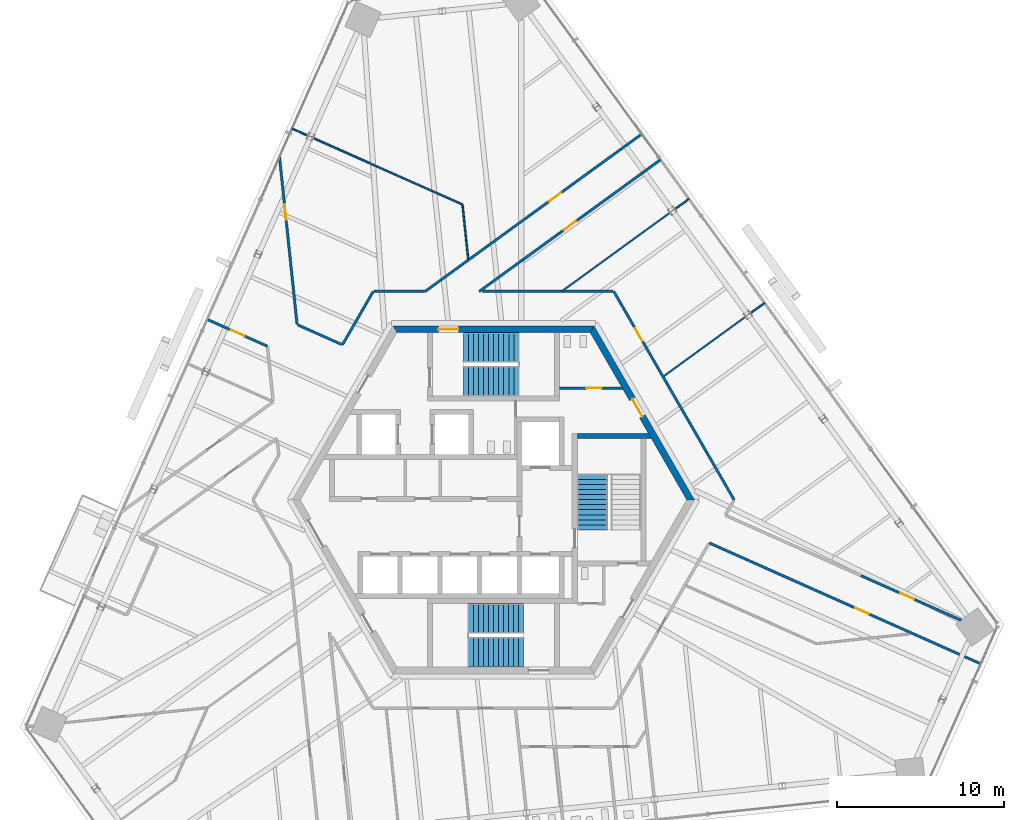
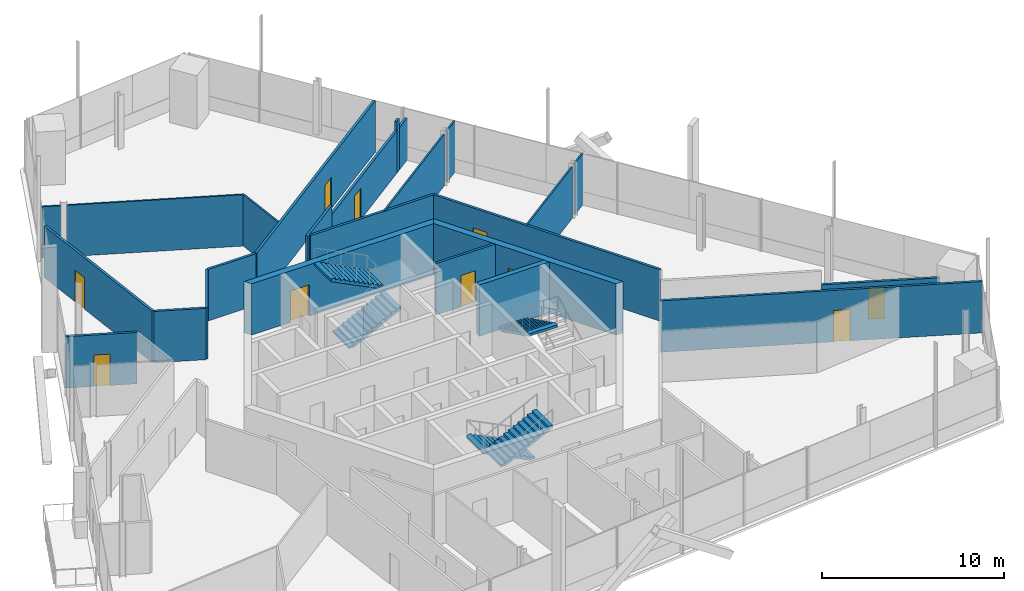
# One storey, part 13 of 20: 25 walls, 10 doors, 5 stair flights, 10 openings, 3 elements without a shape of their own.
"""IFC4 building model written with IfcOpenShell, lengths in metres."""

from ifc_helpers import new_model, si_unit, direction, frame, frame_2d, origin, place, context, subcontext, project, spatial, polyline, rectangle, outline, extrude, source, transform, mapped, material, layer, layer_set, type_object, element, fill, aggregate, save


model = new_model("IFC4")

# Units and contexts
model_context = context("Model", 3, precision=1e-05, world=origin(), true_north=direction((0.0, 1.0)))
body_context = subcontext(model_context, "Body", "Model", "MODEL_VIEW")
ifc_project = project(units=[si_unit("LENGTHUNIT", "METRE"), si_unit("AREAUNIT", "SQUARE_METRE"), si_unit("VOLUMEUNIT", "CUBIC_METRE"), si_unit("PLANEANGLEUNIT", "RADIAN"), si_unit("MASSUNIT", "GRAM", prefix="KILO")], contexts=[model_context])

# Site, building, storey
site_placement = place(None, origin())
site = spatial("IfcSite", under=ifc_project, at=site_placement, CompositionType="ELEMENT")
building_placement = place(site_placement, origin())
building = spatial("IfcBuilding", under=site, at=building_placement, Name="Triune Harvest Tower", CompositionType="ELEMENT")
storey_placement = place(building_placement, frame((0.0, 0.0, 234.10009765625)))
storey = spatial("IfcBuildingStorey", under=building, at=storey_placement, Name="L61", CompositionType="ELEMENT", Elevation=234.10009765625)

# Wall, opening, door
ifc_material_1 = material(Name="Gypsum board on steel studs", Category="steel")
ifc_layer_1 = layer(ifc_material_1, 0.14990234375)
ifc_layer_set_1 = layer_set([ifc_layer_1], Name="Gypsum board on steel studs")
wall_type_1 = type_object("IfcWallType", Name="Fire Partition 150 mm", PredefinedType="PARTITIONING", material=ifc_layer_set_1)
wall_1_placement = place(storey_placement, frame((21.935302734375, -4.523193359375, 0.0), z_axis=(0.0, 0.0, 1.0), x_axis=(0.913539195618, -0.406750707522, 0.0)))
wall_1 = element("IfcWall", 1, at=wall_1_placement, inside=storey, type_object=wall_type_1, Name="Partition L61 028a", PredefinedType="PARTITIONING", context=body_context, shape_type="SweptSolid", body=[
    extrude(rectangle(XDim=6.5478515625, YDim=0.14990234375, at=frame_2d((3.27392578125, 0.0))), origin(), (0.0, 0.0, 1.0), 2.525390625),
])
opening_1_placement = place(wall_1_placement, frame((2.582763671875, 0.0, 0.0)))
opening_1 = element("IfcOpeningElement", 2, at=opening_1_placement, cuts=wall_1, Name="Opening L61-002", PredefinedType="OPENING", context=body_context, shape_type="SweptSolid", body=[
    extrude(rectangle(XDim=0.89990234375, YDim=2.10009765625, at=frame_2d((0.449951171875, 1.050048828125))), frame((0.0, 0.0849609375, 0.0), z_axis=(0.0, -1.0, 0.0), x_axis=(1.0, 0.0, 0.0)), (0.0, 0.0, 1.0), 0.169921875),
])
ifc_material_2 = material(Name="Timber and steel door set", Category="steel")
door_type_1 = type_object("IfcDoorType", Name="Single leaf door FD30 right hand 900 x 2100", OperationType="SINGLE_SWING_RIGHT", PredefinedType="DOOR", material=ifc_material_2)
door_1_placement = place(opening_1_placement, origin())
door_1 = element("IfcDoor", 3, at=door_1_placement, inside=storey, type_object=door_type_1, Name="Door L61-002 Open Office 61.02", OperationType="SINGLE_SWING_RIGHT", OverallHeight=2.10009765625, OverallWidth=0.89990234375, PredefinedType="DOOR", context=body_context, shape_type="SweptSolid", body=[
    extrude(rectangle(XDim=0.89990234375, YDim=2.10009765625, at=frame_2d((0.449951171875, 1.050048828125))), frame((0.0, 0.02490234375, 0.0), z_axis=(0.0, -1.0, 0.0), x_axis=(1.0, 0.0, 0.0)), (0.0, 0.0, 1.0), 0.050048828125),
])
fill(opening_1, door_1)

# Wall
wall_2_placement = place(storey_placement, frame((-0.656005859375, 12.4423828125, 0.0), z_axis=(0.0, 0.0, 1.0), x_axis=(1.0, 0.0, 0.0)))
element("IfcWall", 4, at=wall_2_placement, inside=storey, type_object=wall_type_1, Name="Partition L61 034", PredefinedType="PARTITIONING", context=body_context, shape_type="SweptSolid", body=[
    extrude(rectangle(XDim=7.78955078125, YDim=0.14990234375, at=frame_2d((3.894775390625, 0.0))), origin(), (0.0, 0.0, 1.0), 3.43994140625),
])

# Wall, opening, door
wall_3_placement = place(storey_placement, frame((1.75341796875, 14.338134765625, 0.0), z_axis=(0.0, 0.0, 1.0), x_axis=(0.809011065255, 0.587793412939, 0.0)))
wall_3 = element("IfcWall", 5, at=wall_3_placement, inside=storey, type_object=wall_type_1, Name="Partition L61 045a", PredefinedType="PARTITIONING", context=body_context, shape_type="SweptSolid", body=[
    extrude(rectangle(XDim=8.789306640625, YDim=0.14990234375, at=frame_2d((4.39453125, 0.0))), origin(), (0.0, 0.0, 1.0), 2.82763671875),
])
opening_2_placement = place(wall_3_placement, frame((3.024658203125, 0.0, 0.0)))
opening_2 = element("IfcOpeningElement", 6, at=opening_2_placement, cuts=wall_3, Name="Opening L61-005", PredefinedType="OPENING", context=body_context, shape_type="SweptSolid", body=[
    extrude(rectangle(XDim=0.89990234375, YDim=2.10009765625, at=frame_2d((0.449951171875, 1.050048828125))), frame((0.0, 0.0849609375, 0.0), z_axis=(0.0, -1.0, 0.0), x_axis=(1.0, 0.0, 0.0)), (0.0, 0.0, 1.0), 0.169921875),
])
ifc_material_3 = material(Name="Timber and steel door set", Category="steel")
door_type_2 = type_object("IfcDoorType", Name="Single leaf door FD30 left hand 900 x 2100", OperationType="SINGLE_SWING_LEFT", PredefinedType="DOOR", material=ifc_material_3)
door_2_placement = place(opening_2_placement, origin())
door_2 = element("IfcDoor", 7, at=door_2_placement, inside=storey, type_object=door_type_2, Name="Door L61-005 Office 61.05", OperationType="SINGLE_SWING_LEFT", OverallHeight=2.10009765625, OverallWidth=0.89990234375, PredefinedType="DOOR", context=body_context, shape_type="SweptSolid", body=[
    extrude(rectangle(XDim=0.89990234375, YDim=2.10009765625, at=frame_2d((0.449951171875, 1.050048828125))), frame((0.0, 0.02490234375, 0.0), z_axis=(0.0, -1.0, 0.0), x_axis=(1.0, 0.0, 0.0)), (0.0, 0.0, 1.0), 0.050048828125),
])
fill(opening_2, door_2)

# Walls
wall_4_placement = place(storey_placement, frame((8.864013671875, 19.50439453125, 0.0), z_axis=(0.0, 0.0, 1.0), x_axis=(0.808943843857, 0.58788592217, 0.0)))
element("IfcWall", 8, at=wall_4_placement, inside=storey, type_object=wall_type_1, Name="Partition L61 045b", PredefinedType="PARTITIONING", context=body_context, shape_type="SweptSolid", body=[
    extrude(rectangle(XDim=0.304931640625, YDim=0.14990234375, at=frame_2d((0.15234375, 0.0))), origin(), (0.0, 0.0, 1.0), 3.43994140625),
])
wall_5_placement = place(storey_placement, frame((9.110595703125, 19.68359375, 0.0), z_axis=(0.0, 0.0, 1.0), x_axis=(0.80908353288, 0.587693658995, 0.0)))
element("IfcWall", 9, at=wall_5_placement, inside=storey, type_object=wall_type_1, Name="Partition L61 045c", PredefinedType="PARTITIONING", context=body_context, shape_type="SweptSolid", body=[
    extrude(rectangle(XDim=1.06298828125, YDim=0.14990234375, at=frame_2d((0.531494140625, 0.0))), origin(), (0.0, 0.0, 1.0), 2.82763671875),
])

# Wall, opening, door
ifc_material_4 = material(Name="Concrete 70 MPa", Category="concrete")
ifc_layer_2 = layer(ifc_material_4, 0.39990234375)
ifc_layer_set_2 = layer_set([ifc_layer_2], Name="Concrete 70 MPa")
wall_type_2 = type_object("IfcWallType", Name="Core wall 400", PredefinedType="SHEAR", material=ifc_layer_set_2)
shared_shape_1 = source(origin(), body_context, "Body", "SweptSolid", [
    extrude(outline(polyline([(-0.115478515625, -0.199951171875), (11.884521484375, -0.199951171875), (11.653564453125, 0.199951171875), (0.115478515625, 0.199951171875), (-0.115478515625, -0.199951171875)])), origin(), (0.0, 0.0, 1.0), 3.43994140625),
])
wall_6_placement = place(storey_placement, frame((11.76904296875, 0.0, 0.0), z_axis=(0.0, 0.0, 1.0), x_axis=(-0.499996592174, 0.866027371285, 0.0)))
wall_6 = element("IfcWall", 10, at=wall_6_placement, inside=storey, type_object=wall_type_2, Name="Hexagon 0 wall", PredefinedType="SHEAR", context=body_context, shape_type="MappedRepresentation", body=[
    mapped(shared_shape_1, transform((0.0, 0.0, 0.0), scale=1.0)),
])
opening_3_placement = place(wall_6_placement, frame((5.75048828125, 0.0, 0.0)))
opening_3 = element("IfcOpeningElement", 11, at=opening_3_placement, cuts=wall_6, Name="Opening CD-WCP", PredefinedType="OPENING", context=body_context, shape_type="SweptSolid", body=[
    extrude(rectangle(XDim=1.199951171875, YDim=2.10009765625, at=frame_2d((0.60009765625, 1.050048828125))), frame((0.0, 0.2099609375, 0.0), z_axis=(0.0, -1.0, 0.0), x_axis=(1.0, 0.0, 0.0)), (0.0, 0.0, 1.0), 0.419921875),
])
ifc_material_5 = material(Name="Steel S235", Category="steel")
door_type_3 = type_object("IfcDoorType", Name="Lobby door 1200 FD120", OperationType="SINGLE_SWING_LEFT", PredefinedType="DOOR", material=ifc_material_5)
door_3_placement = place(opening_3_placement, frame((1.199951171875, 0.0, 0.0), z_axis=(0.0, 0.0, 1.0), x_axis=(-1.0, 0.0, 0.0)))
door_3 = element("IfcDoor", 12, at=door_3_placement, inside=storey, type_object=door_type_3, Name="Door CD-WCP", OperationType="SINGLE_SWING_RIGHT", OverallHeight=2.10009765625, OverallWidth=1.199951171875, PredefinedType="DOOR", context=body_context, shape_type="SweptSolid", body=[
    extrude(rectangle(XDim=1.199951171875, YDim=2.10009765625, at=frame_2d((0.60009765625, 1.050048828125))), frame((0.0, 0.02490234375, 0.0), z_axis=(0.0, -1.0, 0.0), x_axis=(1.0, 0.0, 0.0)), (0.0, 0.0, 1.0), 0.050048828125),
])
fill(opening_3, door_3)

wall_7_placement = place(storey_placement, frame((5.884521484375, 10.1923828125, 0.0), z_axis=(0.0, 0.0, 1.0), x_axis=(-1.0, 0.0, 0.0)))
wall_7 = element("IfcWall", 13, at=wall_7_placement, inside=storey, type_object=wall_type_2, Name="Hexagon 1 wall", PredefinedType="SHEAR", context=body_context, shape_type="MappedRepresentation", body=[
    mapped(shared_shape_1, transform((0.0, 0.0, 0.0), scale=1.0)),
])
opening_4_placement = place(wall_7_placement, frame((7.984619140625, 0.0, 0.0)))
opening_4 = element("IfcOpeningElement", 14, at=opening_4_placement, cuts=wall_7, Name="Opening CD-S1P", PredefinedType="OPENING", context=body_context, shape_type="SweptSolid", body=[
    extrude(rectangle(XDim=1.199951171875, YDim=2.10009765625, at=frame_2d((0.60009765625, 1.050048828125))), frame((0.0, 0.2099609375, 0.0), z_axis=(0.0, -1.0, 0.0), x_axis=(1.0, 0.0, 0.0)), (0.0, 0.0, 1.0), 0.419921875),
])
ifc_material_6 = material(Name="Steel S235", Category="steel")
door_type_4 = type_object("IfcDoorType", Name="Stair door 1200 FD120", OperationType="SINGLE_SWING_LEFT", PredefinedType="DOOR", material=ifc_material_6)
door_4_placement = place(opening_4_placement, frame((1.199951171875, 0.0, 0.0), z_axis=(0.0, 0.0, 1.0), x_axis=(-1.0, 0.0, 0.0)))
door_4 = element("IfcDoor", 15, at=door_4_placement, inside=storey, type_object=door_type_4, Name="Door CD-S1P", OperationType="SINGLE_SWING_RIGHT", OverallHeight=2.10009765625, OverallWidth=1.199951171875, PredefinedType="DOOR", context=body_context, shape_type="SweptSolid", body=[
    extrude(rectangle(XDim=1.199951171875, YDim=2.10009765625, at=frame_2d((0.60009765625, 1.050048828125))), frame((0.0, 0.02490234375, 0.0), z_axis=(0.0, -1.0, 0.0), x_axis=(1.0, 0.0, 0.0)), (0.0, 0.0, 1.0), 0.050048828125),
])
fill(opening_4, door_4)

# Wall
ifc_material_7 = material(Name="Concrete 70 MPa", Category="concrete")
ifc_layer_3 = layer(ifc_material_7, 0.300048828125)
ifc_layer_set_3 = layer_set([ifc_layer_3], Name="Concrete 70 MPa")
wall_type_3 = type_object("IfcWallType", Name="Core wall 300", PredefinedType="SHEAR", material=ifc_layer_set_3)
shared_shape_2 = source(origin(), body_context, "Body", "SweptSolid", [
    extrude(outline(polyline([(0.0, -0.14990234375), (0.0, 0.14990234375), (4.260009765625, 0.14990234375), (4.43310546875, -0.14990234375), (0.0, -0.14990234375)])), origin(), (0.0, 0.0, 1.0), 3.43994140625),
])
wall_8_placement = place(storey_placement, frame((5.0, 3.800048828125, 0.0), z_axis=(0.0, 0.0, 1.0), x_axis=(1.0, 0.0, 0.0)))
element("IfcWall", 16, at=wall_8_placement, inside=storey, type_object=wall_type_3, Name="Stair e north wall", PredefinedType="SHEAR", context=body_context, shape_type="MappedRepresentation", body=[
    mapped(shared_shape_2, transform((0.0, 0.0, 0.0), scale=1.0)),
])

# Wall, opening, door
ifc_material_8 = material(Name="Concrete masonry unit", Category="masonry")
ifc_layer_4 = layer(ifc_material_8, 0.14990234375)
ifc_layer_set_4 = layer_set([ifc_layer_4], Name="Concrete masonry unit")
wall_type_4 = type_object("IfcWallType", Name="Block partition 150 unrated", PredefinedType="PARTITIONING", material=ifc_layer_set_4)
shared_shape_3 = source(origin(), body_context, "Body", "SweptSolid", [
    extrude(outline(polyline([(0.0, -0.074951171875), (0.0, 0.074951171875), (3.693359375, 0.074951171875), (3.77978515625, -0.074951171875), (0.0, -0.074951171875)])), origin(), (0.0, 0.0, 1.0), 3.43994140625),
])
wall_9_placement = place(storey_placement, frame((3.949951171875, 6.675048828125, 0.0), z_axis=(0.0, 0.0, 1.0), x_axis=(1.0, 0.0, 0.0)))
wall_9 = element("IfcWall", 17, at=wall_9_placement, inside=storey, type_object=wall_type_4, Name="Wc women south wall", PredefinedType="PARTITIONING", context=body_context, shape_type="MappedRepresentation", body=[
    mapped(shared_shape_3, transform((0.0, 0.0, 0.0), scale=1.0)),
])
opening_5_placement = place(wall_9_placement, frame((1.60009765625, 0.0, 0.0)))
opening_5 = element("IfcOpeningElement", 18, at=opening_5_placement, cuts=wall_9, Name="Opening CD-WW", PredefinedType="OPENING", context=body_context, shape_type="SweptSolid", body=[
    extrude(rectangle(XDim=0.89990234375, YDim=2.10009765625, at=frame_2d((0.449951171875, 1.050048828125))), frame((0.0, 0.0849609375, 0.0), z_axis=(0.0, -1.0, 0.0), x_axis=(1.0, 0.0, 0.0)), (0.0, 0.0, 1.0), 0.169921875),
])
ifc_material_9 = material(Name="Timber C24", Category="wood")
door_type_5 = type_object("IfcDoorType", Name="WC door 900", OperationType="SINGLE_SWING_LEFT", PredefinedType="DOOR", material=ifc_material_9)
door_5_placement = place(opening_5_placement, origin())
door_5 = element("IfcDoor", 19, at=door_5_placement, inside=storey, type_object=door_type_5, Name="Door CD-WW", OperationType="SINGLE_SWING_LEFT", OverallHeight=2.10009765625, OverallWidth=0.89990234375, PredefinedType="DOOR", context=body_context, shape_type="SweptSolid", body=[
    extrude(rectangle(XDim=0.89990234375, YDim=2.10009765625, at=frame_2d((0.449951171875, 1.050048828125))), frame((0.0, 0.02490234375, 0.0), z_axis=(0.0, -1.0, 0.0), x_axis=(1.0, 0.0, 0.0)), (0.0, 0.0, 1.0), 0.050048828125),
])
fill(opening_5, door_5)

shared_shape_4 = source(origin(), body_context, "Body", "SweptSolid", [
    extrude(rectangle(XDim=14.3671875, YDim=0.14990234375, at=frame_2d((7.18359375, 0.0))), origin(), (0.0, 0.0, 1.0), 3.43994140625),
])
wall_10_placement = place(storey_placement, frame((7.18359375, 12.4423828125, 0.0), z_axis=(0.0, 0.0, 1.0), x_axis=(0.499998991654, -0.866025985952, 0.0)))
wall_10 = element("IfcWall", 20, at=wall_10_placement, inside=storey, type_object=wall_type_1, Name="Partition L61 018", PredefinedType="PARTITIONING", context=body_context, shape_type="MappedRepresentation", body=[
    mapped(shared_shape_4, transform((0.0, 0.0, 0.0), scale=1.0)),
])
opening_6_placement = place(wall_10_placement, frame((2.52587890625, 0.0, 0.0)))
opening_6 = element("IfcOpeningElement", 21, at=opening_6_placement, cuts=wall_10, Name="Opening L61-003", PredefinedType="OPENING", context=body_context, shape_type="SweptSolid", body=[
    extrude(rectangle(XDim=0.89990234375, YDim=2.10009765625, at=frame_2d((0.449951171875, 1.050048828125))), frame((0.0, 0.0849609375, 0.0), z_axis=(0.0, -1.0, 0.0), x_axis=(1.0, 0.0, 0.0)), (0.0, 0.0, 1.0), 0.169921875),
])
door_6_placement = place(opening_6_placement, origin())
door_6 = element("IfcDoor", 22, at=door_6_placement, inside=storey, type_object=door_type_2, Name="Door L61-003 Project Room 61.03", OperationType="SINGLE_SWING_LEFT", OverallHeight=2.10009765625, OverallWidth=0.89990234375, PredefinedType="DOOR", context=body_context, shape_type="SweptSolid", body=[
    extrude(rectangle(XDim=0.89990234375, YDim=2.10009765625, at=frame_2d((0.449951171875, 1.050048828125))), frame((0.0, 0.02490234375, 0.0), z_axis=(0.0, -1.0, 0.0), x_axis=(1.0, 0.0, 0.0)), (0.0, 0.0, 1.0), 0.050048828125),
])
fill(opening_6, door_6)

# Walls
ifc_material_10 = material(Name="Gypsum board on steel studs", Category="steel")
ifc_layer_5 = layer(ifc_material_10, 0.10009765625)
ifc_layer_set_5 = layer_set([ifc_layer_5], Name="Gypsum board on steel studs")
wall_type_5 = type_object("IfcWallType", Name="Partition 100 mm", PredefinedType="PARTITIONING", material=ifc_layer_set_5)
shared_shape_5 = source(origin(), body_context, "Body", "SweptSolid", [
    extrude(rectangle(XDim=1.0478515625, YDim=0.10009765625, at=frame_2d((0.52392578125, 0.0))), origin(), (0.0, 0.0, 1.0), 3.43994140625),
])
for number, where, z_axis, x_axis, name in (
    (23, (-12.027099609375, 22.167236328125, 0.0), (0.0, 0.0, 1.0), (0.91352309314, -0.406786870855, 0.0), "Partition L61 029"),
    (24, (15.33544921875, 11.141845703125, 0.0), (0.0, 0.0, 1.0), (0.808967759712, 0.587853012025, 0.0), "Partition L61 041"),
    (25, (10.821533203125, 17.354736328125, 0.0), (0.0, 0.0, 1.0), (0.808967759712, 0.587853012025, 0.0), "Partition L61 043"),
):
    element("IfcWall", number, at=place(storey_placement, frame(where, z_axis=z_axis, x_axis=x_axis)), inside=storey, type_object=wall_type_5, Name=name, PredefinedType="PARTITIONING", context=body_context, shape_type="MappedRepresentation", body=[
        mapped(shared_shape_5, transform((0.0, 0.0, 0.0), scale=1.0)),
    ])

# Wall, opening, door
shared_shape_6 = source(origin(), body_context, "Body", "SweptSolid", [
    extrude(rectangle(XDim=10.067626953125, YDim=0.14990234375, at=frame_2d((5.03369140625, 0.0))), origin(), (0.0, 0.0, 1.0), 3.43994140625),
])
wall_11_placement = place(storey_placement, frame((-12.779541015625, 20.476806640625, 0.0), z_axis=(0.0, 0.0, 1.0), x_axis=(0.104518154608, -0.994522978798, 0.0)))
wall_11 = element("IfcWall", 26, at=wall_11_placement, inside=storey, type_object=wall_type_1, Name="Partition L61 004", PredefinedType="PARTITIONING", context=body_context, shape_type="MappedRepresentation", body=[
    mapped(shared_shape_6, transform((0.0, 0.0, 0.0), scale=1.0)),
])
opening_7_placement = place(wall_11_placement, frame((2.877685546875, 0.0, 0.0)))
opening_7 = element("IfcOpeningElement", 27, at=opening_7_placement, cuts=wall_11, Name="Opening L61-006", PredefinedType="OPENING", context=body_context, shape_type="SweptSolid", body=[
    extrude(rectangle(XDim=0.89990234375, YDim=2.10009765625, at=frame_2d((0.449951171875, 1.050048828125))), frame((0.0, 0.0849609375, 0.0), z_axis=(0.0, -1.0, 0.0), x_axis=(1.0, 0.0, 0.0)), (0.0, 0.0, 1.0), 0.169921875),
])
door_7_placement = place(opening_7_placement, origin())
door_7 = element("IfcDoor", 28, at=door_7_placement, inside=storey, type_object=door_type_2, Name="Door L61-006 Pantry 61.06", OperationType="SINGLE_SWING_LEFT", OverallHeight=2.10009765625, OverallWidth=0.89990234375, PredefinedType="DOOR", context=body_context, shape_type="SweptSolid", body=[
    extrude(rectangle(XDim=0.89990234375, YDim=2.10009765625, at=frame_2d((0.449951171875, 1.050048828125))), frame((0.0, 0.02490234375, 0.0), z_axis=(0.0, -1.0, 0.0), x_axis=(1.0, 0.0, 0.0)), (0.0, 0.0, 1.0), 0.050048828125),
])
fill(opening_7, door_7)

# Wall
shared_shape_7 = source(origin(), body_context, "Body", "SweptSolid", [
    extrude(rectangle(XDim=3.226806640625, YDim=0.10009765625, at=frame_2d((1.61328125, 0.0))), origin(), (0.0, 0.0, 1.0), 3.43994140625),
])
wall_12_placement = place(storey_placement, frame((-1.8515625, 17.617919921875, 0.0), z_axis=(0.0, 0.0, 1.0), x_axis=(0.104483925502, -0.994526575468, 0.0)))
element("IfcWall", 29, at=wall_12_placement, inside=storey, type_object=wall_type_5, Name="Partition L61 009", PredefinedType="PARTITIONING", context=body_context, shape_type="MappedRepresentation", body=[
    mapped(shared_shape_7, transform((0.0, 0.0, 0.0), scale=1.0)),
])

# Wall, opening, door
shared_shape_8 = source(origin(), body_context, "Body", "SweptSolid", [
    extrude(rectangle(XDim=3.93701171875, YDim=0.14990234375, at=frame_2d((1.968505859375, 0.0))), origin(), (0.0, 0.0, 1.0), 3.43994140625),
])
wall_13_placement = place(storey_placement, frame((-17.098876953125, 10.77587890625, 0.0), z_axis=(0.0, 0.0, 1.0), x_axis=(0.913571009461, -0.406679247899, 0.0)))
wall_13 = element("IfcWall", 30, at=wall_13_placement, inside=storey, type_object=wall_type_1, Name="Partition L61 025", PredefinedType="PARTITIONING", context=body_context, shape_type="MappedRepresentation", body=[
    mapped(shared_shape_8, transform((0.0, 0.0, 0.0), scale=1.0)),
])
opening_8_placement = place(wall_13_placement, frame((1.550048828125, 0.0, 0.0)))
opening_8 = element("IfcOpeningElement", 31, at=opening_8_placement, cuts=wall_13, Name="Opening L61-007", PredefinedType="OPENING", context=body_context, shape_type="SweptSolid", body=[
    extrude(rectangle(XDim=0.89990234375, YDim=2.10009765625, at=frame_2d((0.449951171875, 1.050048828125))), frame((0.0, 0.0849609375, 0.0), z_axis=(0.0, -1.0, 0.0), x_axis=(1.0, 0.0, 0.0)), (0.0, 0.0, 1.0), 0.169921875),
])
door_8_placement = place(opening_8_placement, origin())
door_8 = element("IfcDoor", 32, at=door_8_placement, inside=storey, type_object=door_type_2, Name="Door L61-007 Meeting Room 61.07", OperationType="SINGLE_SWING_LEFT", OverallHeight=2.10009765625, OverallWidth=0.89990234375, PredefinedType="DOOR", context=body_context, shape_type="SweptSolid", body=[
    extrude(rectangle(XDim=0.89990234375, YDim=2.10009765625, at=frame_2d((0.449951171875, 1.050048828125))), frame((0.0, 0.02490234375, 0.0), z_axis=(0.0, -1.0, 0.0), x_axis=(1.0, 0.0, 0.0)), (0.0, 0.0, 1.0), 0.050048828125),
])
fill(opening_8, door_8)

shared_shape_9 = source(origin(), body_context, "Body", "SweptSolid", [
    extrude(rectangle(XDim=17.74658203125, YDim=0.14990234375, at=frame_2d((8.873291015625, 0.0))), origin(), (0.0, 0.0, 1.0), 3.43994140625),
])
wall_14_placement = place(storey_placement, frame((12.882080078125, -2.572509765625, 0.0), z_axis=(0.0, 0.0, 1.0), x_axis=(0.913549833627, -0.406726814312, 0.0)))
wall_14 = element("IfcWall", 33, at=wall_14_placement, inside=storey, type_object=wall_type_1, Name="Partition L61 026", PredefinedType="PARTITIONING", context=body_context, shape_type="MappedRepresentation", body=[
    mapped(shared_shape_9, transform((0.0, 0.0, 0.0), scale=1.0)),
])
opening_9_placement = place(wall_14_placement, frame((9.538818359375, 0.0, 0.0)))
opening_9 = element("IfcOpeningElement", 34, at=opening_9_placement, cuts=wall_14, Name="Opening L61-001", PredefinedType="OPENING", context=body_context, shape_type="SweptSolid", body=[
    extrude(rectangle(XDim=0.89990234375, YDim=2.10009765625, at=frame_2d((0.449951171875, 1.050048828125))), frame((0.0, 0.0849609375, 0.0), z_axis=(0.0, -1.0, 0.0), x_axis=(1.0, 0.0, 0.0)), (0.0, 0.0, 1.0), 0.169921875),
])
door_9_placement = place(opening_9_placement, origin())
door_9 = element("IfcDoor", 35, at=door_9_placement, inside=storey, type_object=door_type_2, Name="Door L61-001 Dry Store Room 61.01", OperationType="SINGLE_SWING_LEFT", OverallHeight=2.10009765625, OverallWidth=0.89990234375, PredefinedType="DOOR", context=body_context, shape_type="SweptSolid", body=[
    extrude(rectangle(XDim=0.89990234375, YDim=2.10009765625, at=frame_2d((0.449951171875, 1.050048828125))), frame((0.0, 0.02490234375, 0.0), z_axis=(0.0, -1.0, 0.0), x_axis=(1.0, 0.0, 0.0)), (0.0, 0.0, 1.0), 0.050048828125),
])
fill(opening_9, door_9)

# Walls
shared_shape_10 = source(origin(), body_context, "Body", "SweptSolid", [
    extrude(rectangle(XDim=2.8623046875, YDim=0.14990234375, at=frame_2d((1.43115234375, 0.0))), origin(), (0.0, 0.0, 1.0), 3.43994140625),
])
wall_15_placement = place(storey_placement, frame((-11.681640625, 10.444091796875, 0.0), z_axis=(0.0, 0.0, 1.0), x_axis=(0.913526415595, -0.406779409521, 0.0)))
element("IfcWall", 36, at=wall_15_placement, inside=storey, type_object=wall_type_1, Name="Partition L61 027", PredefinedType="PARTITIONING", context=body_context, shape_type="MappedRepresentation", body=[
    mapped(shared_shape_10, transform((0.0, 0.0, 0.0), scale=1.0)),
])
shared_shape_11 = source(origin(), body_context, "Body", "SweptSolid", [
    extrude(rectangle(XDim=9.752685546875, YDim=0.10009765625, at=frame_2d((4.87646484375, 0.0))), origin(), (0.0, 0.0, 1.0), 3.43994140625),
])
wall_16_placement = place(storey_placement, frame((-10.76318359375, 21.6044921875, 0.0), z_axis=(0.0, 0.0, 1.0), x_axis=(0.913542950004, -0.406742275277, 0.0)))
element("IfcWall", 37, at=wall_16_placement, inside=storey, type_object=wall_type_5, Name="Partition L61 030", PredefinedType="PARTITIONING", context=body_context, shape_type="MappedRepresentation", body=[
    mapped(shared_shape_11, transform((0.0, 0.0, 0.0), scale=1.0)),
])
shared_shape_12 = source(origin(), body_context, "Body", "SweptSolid", [
    extrude(rectangle(XDim=3.025146484375, YDim=0.14990234375, at=frame_2d((1.5126953125, 0.0))), origin(), (0.0, 0.0, 1.0), 3.43994140625),
])
wall_17_placement = place(storey_placement, frame((-7.133544921875, 12.4423828125, 0.0), z_axis=(0.0, 0.0, 1.0), x_axis=(1.0, 0.0, 0.0)))
element("IfcWall", 38, at=wall_17_placement, inside=storey, type_object=wall_type_1, Name="Partition L61 033", PredefinedType="PARTITIONING", context=body_context, shape_type="MappedRepresentation", body=[
    mapped(shared_shape_12, transform((0.0, 0.0, 0.0), scale=1.0)),
])
shared_shape_13 = source(origin(), body_context, "Body", "SweptSolid", [
    extrude(rectangle(XDim=8.021728515625, YDim=0.10009765625, at=frame_2d((4.0107421875, 0.0))), origin(), (0.0, 0.0, 1.0), 3.43994140625),
])
wall_18_placement = place(storey_placement, frame((4.060302734375, 12.4423828125, 0.0), z_axis=(0.0, 0.0, 1.0), x_axis=(0.809016321102, 0.587786178972, 0.0)))
element("IfcWall", 39, at=wall_18_placement, inside=storey, type_object=wall_type_5, Name="Partition L61 042", PredefinedType="PARTITIONING", context=body_context, shape_type="MappedRepresentation", body=[
    mapped(shared_shape_13, transform((0.0, 0.0, 0.0), scale=1.0)),
])
shared_shape_14 = source(origin(), body_context, "Body", "SweptSolid", [
    extrude(rectangle(XDim=3.225341796875, YDim=0.14990234375, at=frame_2d((1.61279296875, 0.0))), origin(), (0.0, 0.0, 1.0), 3.43994140625),
])
wall_19_placement = place(storey_placement, frame((-0.85595703125, 12.4423828125, 0.0), z_axis=(0.0, 0.0, 1.0), x_axis=(0.809027308254, 0.587771056193, 0.0)))
element("IfcWall", 40, at=wall_19_placement, inside=storey, type_object=wall_type_1, Name="Partition L61 045", PredefinedType="PARTITIONING", context=body_context, shape_type="MappedRepresentation", body=[
    mapped(shared_shape_14, transform((0.0, 0.0, 0.0), scale=1.0)),
])

# Wall, opening, door
shared_shape_15 = source(origin(), body_context, "Body", "SweptSolid", [
    extrude(rectangle(XDim=15.997314453125, YDim=0.14990234375, at=frame_2d((7.99853515625, 0.0))), origin(), (0.0, 0.0, 1.0), 3.43994140625),
])
wall_20_placement = place(storey_placement, frame((-4.08837890625, 12.4423828125, 0.0), z_axis=(0.0, 0.0, 1.0), x_axis=(0.809015150703, 0.58778778988, 0.0)))
wall_20 = element("IfcWall", 41, at=wall_20_placement, inside=storey, type_object=wall_type_1, Name="Partition L61 048", PredefinedType="PARTITIONING", context=body_context, shape_type="MappedRepresentation", body=[
    mapped(shared_shape_15, transform((0.0, 0.0, 0.0), scale=1.0)),
])
opening_10_placement = place(wall_20_placement, frame((9.147705078125, 0.0, 0.0)))
opening_10 = element("IfcOpeningElement", 42, at=opening_10_placement, cuts=wall_20, Name="Opening L61-004", PredefinedType="OPENING", context=body_context, shape_type="SweptSolid", body=[
    extrude(rectangle(XDim=0.89990234375, YDim=2.10009765625, at=frame_2d((0.449951171875, 1.050048828125))), frame((0.0, 0.0849609375, 0.0), z_axis=(0.0, -1.0, 0.0), x_axis=(1.0, 0.0, 0.0)), (0.0, 0.0, 1.0), 0.169921875),
])
door_10_placement = place(opening_10_placement, origin())
door_10 = element("IfcDoor", 43, at=door_10_placement, inside=storey, type_object=door_type_1, Name="Door L61-004 Office 61.04", OperationType="SINGLE_SWING_RIGHT", OverallHeight=2.10009765625, OverallWidth=0.89990234375, PredefinedType="DOOR", context=body_context, shape_type="SweptSolid", body=[
    extrude(rectangle(XDim=0.89990234375, YDim=2.10009765625, at=frame_2d((0.449951171875, 1.050048828125))), frame((0.0, 0.02490234375, 0.0), z_axis=(0.0, -1.0, 0.0), x_axis=(1.0, 0.0, 0.0)), (0.0, 0.0, 1.0), 0.050048828125),
])
fill(opening_10, door_10)

# Walls
shared_shape_16 = source(origin(), body_context, "Body", "SweptSolid", [
    extrude(rectangle(XDim=3.675048828125, YDim=0.14990234375, at=frame_2d((1.83740234375, 0.0))), origin(), (0.0, 0.0, 1.0), 3.43994140625),
])
wall_21_placement = place(storey_placement, frame((-9.021484375, 9.259521484375, 0.0), z_axis=(0.0, 0.0, 1.0), x_axis=(0.500032977642, 0.866006363297, 0.0)))
element("IfcWall", 44, at=wall_21_placement, inside=storey, type_object=wall_type_1, Name="Partition L61 053", PredefinedType="PARTITIONING", context=body_context, shape_type="MappedRepresentation", body=[
    mapped(shared_shape_16, transform((0.0, 0.0, 0.0), scale=1.0)),
])
shared_shape_17 = source(origin(), body_context, "Body", "SweptSolid", [
    extrude(rectangle(XDim=6.04931640625, YDim=0.10009765625, at=frame_2d((3.024658203125, 0.0))), origin(), (0.0, 0.0, 1.0), 3.43994140625),
])
wall_22_placement = place(storey_placement, frame((10.169921875, 7.388916015625, 0.0), z_axis=(0.0, 0.0, 1.0), x_axis=(0.809022205152, 0.587778080207, 0.0)))
element("IfcWall", 45, at=wall_22_placement, inside=storey, type_object=wall_type_5, Name="Partition L61 040", PredefinedType="PARTITIONING", context=body_context, shape_type="MappedRepresentation", body=[
    mapped(shared_shape_17, transform((0.0, 0.0, 0.0), scale=1.0)),
])

# Stair, stair flights
ifc_material_11 = material(Name="Concrete 40 MPa", Category="concrete")
stair_type = type_object("IfcStairType", Name="Exit stair 1800 half turn", PredefinedType="HALF_TURN_STAIR", material=ifc_material_11)
stair_1_placement = place(storey_placement, origin())
stair_1 = element("IfcStair", 46, at=stair_1_placement, inside=storey, type_object=stair_type, Name="Exit stair north", PredefinedType="HALF_TURN_STAIR")
ifc_material_12 = material(Name="Concrete 40 MPa", Category="concrete")
stair_flight_type = type_object("IfcStairFlightType", Name="Stair flight 1800", PredefinedType="STRAIGHT", material=ifc_material_12)
shared_shape_18 = source(origin(), body_context, "Body", "SweptSolid", [
    extrude(outline(polyline([(0.0, 0.0), (0.0, 0.14990234375), (0.300048828125, 0.14990234375), (0.300048828125, 0.300048828125), (0.60009765625, 0.300048828125), (0.60009765625, 0.449951171875), (0.89990234375, 0.449951171875), (0.89990234375, 0.60009765625), (1.199951171875, 0.60009765625), (1.199951171875, 0.75), (1.5, 0.75), (1.5, 0.89990234375), (1.800048828125, 0.89990234375), (1.800048828125, 1.050048828125), (2.10009765625, 1.050048828125), (2.10009765625, 1.199951171875), (2.39990234375, 1.199951171875), (2.39990234375, 1.35009765625), (2.699951171875, 1.35009765625), (2.699951171875, 1.5), (3.0, 1.5), (3.0, 1.64990234375), (3.300048828125, 1.64990234375), (3.300048828125, 1.800048828125), (3.300048828125, 1.482421875), (0.335205078125, 0.0), (0.0, 0.0)])), frame((0.0, 0.89990234375, 0.0), z_axis=(0.0, -1.0, 0.0), x_axis=(1.0, 0.0, 0.0)), (0.0, 0.0, 1.0), 1.800048828125),
])
stair_flight_1_placement = place(storey_placement, frame((-1.7900390625, 7.090087890625, 0.0), z_axis=(0.0, 0.0, 1.0), x_axis=(1.0, 0.0, 0.0)))
stair_flight_1 = element("IfcStairFlight", 47, at=stair_flight_1_placement, type_object=stair_flight_type, Name="ST-1 flight 1", NumberOfRisers=12, NumberOfTreads=11, PredefinedType="STRAIGHT", RiserHeight=0.15, TreadLength=0.3, context=body_context, shape_type="MappedRepresentation", body=[
    mapped(shared_shape_18, transform((0.0, 0.0, 0.0), scale=1.0)),
])
stair_flight_2_placement = place(storey_placement, frame((1.510009765625, 9.090087890625, 1.7998046875), z_axis=(0.0, 0.0, 1.0), x_axis=(-1.0, 0.0, 0.0)))
stair_flight_2 = element("IfcStairFlight", 48, at=stair_flight_2_placement, type_object=stair_flight_type, Name="ST-1 flight 2", NumberOfRisers=12, NumberOfTreads=11, PredefinedType="STRAIGHT", RiserHeight=0.15, TreadLength=0.3, context=body_context, shape_type="MappedRepresentation", body=[
    mapped(shared_shape_18, transform((0.0, 0.0, 0.0), scale=1.0)),
])
aggregate(stair_1, [stair_flight_1, stair_flight_2])

stair_2_placement = place(storey_placement, origin())
stair_2 = element("IfcStair", 49, at=stair_2_placement, inside=storey, type_object=stair_type, Name="Exit stair south", PredefinedType="HALF_TURN_STAIR")
stair_flight_3_placement = place(storey_placement, frame((1.7900390625, -7.090087890625, 0.0), z_axis=(0.0, 0.0, 1.0), x_axis=(-1.0, 0.0, 0.0)))
stair_flight_3 = element("IfcStairFlight", 50, at=stair_flight_3_placement, type_object=stair_flight_type, Name="ST-2 flight 1", NumberOfRisers=12, NumberOfTreads=11, PredefinedType="STRAIGHT", RiserHeight=0.15, TreadLength=0.3, context=body_context, shape_type="MappedRepresentation", body=[
    mapped(shared_shape_18, transform((0.0, 0.0, 0.0), scale=1.0)),
])
stair_flight_4_placement = place(storey_placement, frame((-1.510009765625, -9.090087890625, 1.7998046875), z_axis=(0.0, 0.0, 1.0), x_axis=(1.0, 0.0, 0.0)))
stair_flight_4 = element("IfcStairFlight", 51, at=stair_flight_4_placement, type_object=stair_flight_type, Name="ST-2 flight 2", NumberOfRisers=12, NumberOfTreads=11, PredefinedType="STRAIGHT", RiserHeight=0.15, TreadLength=0.3, context=body_context, shape_type="MappedRepresentation", body=[
    mapped(shared_shape_18, transform((0.0, 0.0, 0.0), scale=1.0)),
])
aggregate(stair_2, [stair_flight_3, stair_flight_4])

# Stair, stair flight
stair_3_placement = place(storey_placement, origin())
stair_3 = element("IfcStair", 52, at=stair_3_placement, inside=storey, type_object=stair_type, Name="Exit stair east", PredefinedType="HALF_TURN_STAIR")
stair_flight_5_placement = place(storey_placement, frame((5.89990234375, 1.510009765625, 1.7998046875), z_axis=(0.0, 0.0, 1.0), x_axis=(0.0, -1.0, 0.0)))
stair_flight_5 = element("IfcStairFlight", 53, at=stair_flight_5_placement, type_object=stair_flight_type, Name="ST-3 flight 2", NumberOfRisers=12, NumberOfTreads=11, PredefinedType="STRAIGHT", RiserHeight=0.15, TreadLength=0.3, context=body_context, shape_type="MappedRepresentation", body=[
    mapped(shared_shape_18, transform((0.0, 0.0, 0.0), scale=1.0)),
])
aggregate(stair_3, [stair_flight_5])

save(model, "model.ifc")
